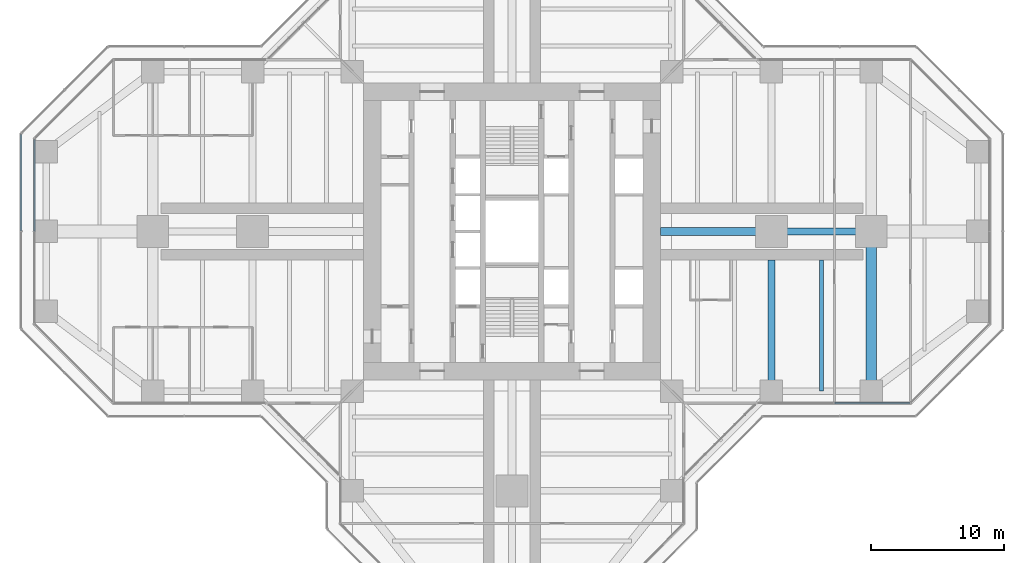
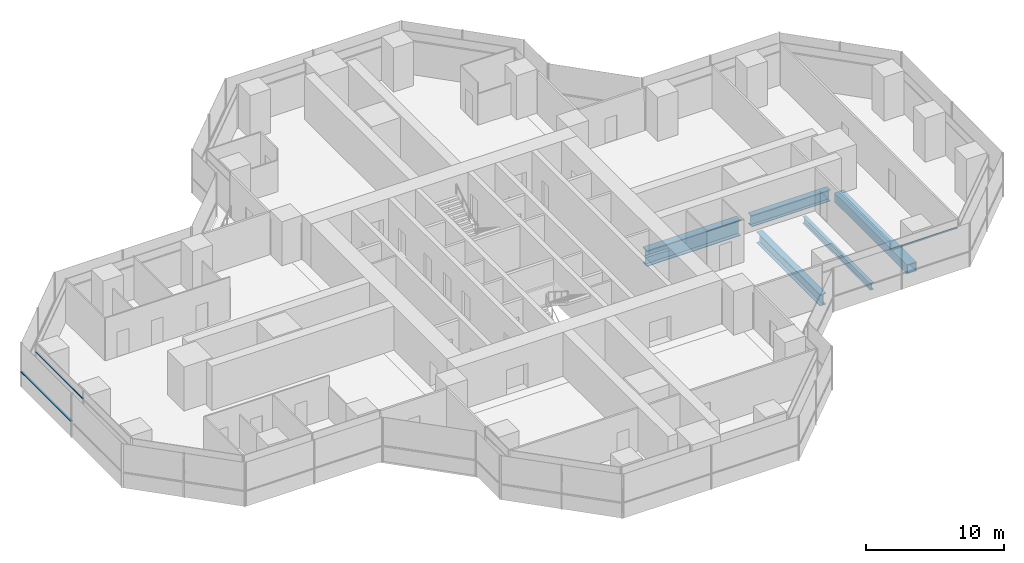
# One storey, part 6 of 20: 5 beams, 3 members, 3 elements without a shape of their own.
"""IFC4 building model written with IfcOpenShell, lengths in metres."""

from ifc_helpers import new_model, si_unit, direction, frame, origin, origin_2d, place, context, subcontext, project, spatial, rectangle, hollow_rectangle, i_section, extrude, material, material_profile, profile_set, type_object, element, aggregate, save


model = new_model("IFC4")

# Units and contexts
model_context = context("Model", 3, precision=1e-05, world=origin(), true_north=direction((0.0, 1.0)))
body_context = subcontext(model_context, "Body", "Model", "MODEL_VIEW")
ifc_project = project(units=[si_unit("LENGTHUNIT", "METRE"), si_unit("AREAUNIT", "SQUARE_METRE"), si_unit("VOLUMEUNIT", "CUBIC_METRE"), si_unit("PLANEANGLEUNIT", "RADIAN"), si_unit("MASSUNIT", "GRAM", prefix="KILO")], contexts=[model_context])

# Site, building, storey
site_placement = place(None, origin())
site = spatial("IfcSite", under=ifc_project, at=site_placement, CompositionType="ELEMENT")
building_placement = place(site_placement, origin())
building = spatial("IfcBuilding", under=site, at=building_placement, Name="Mizan Broadcast Tower", CompositionType="ELEMENT")
storey_placement = place(building_placement, frame((0.0, 0.0, 171.0)))
storey = spatial("IfcBuildingStorey", under=building, at=storey_placement, Name="L39", CompositionType="ELEMENT", Elevation=171.0)

# Beams
ifc_material_1 = material(Name="Steel S460", Category="steel")
ifc_material_profile_1 = material_profile(ifc_material_1, hollow_rectangle(XDim=0.800048828125, YDim=0.800048828125, WallThickness=0.050048828125, at=origin_2d()), Name="BOX 800x800x50")
ifc_profile_set_1 = profile_set([ifc_material_profile_1], Name="Steel S460")
beam_type_1 = type_object("IfcBeamType", Name="GIRDER BOX 800x800x50", PredefinedType="BEAM", material=ifc_profile_set_1)
beam_1_placement = place(storey_placement, frame((27.0, -11.280029296875, -0.530029296875), z_axis=(0.0, 1.0, 0.0), x_axis=(-1.0, 0.0, 0.0)))
element("IfcBeam", 1, at=beam_1_placement, inside=storey, type_object=beam_type_1, Name="Girder BOX 800x800x50 L39 east arm", PredefinedType="BEAM", context=body_context, shape_type="SweptSolid", body=[
    extrude(hollow_rectangle(XDim=0.800048828125, YDim=0.800048828125, WallThickness=0.050048828125, at=origin_2d()), origin(), (0.0, 0.0, 1.0), 10.56005859375),
])
ifc_material_2 = material(Name="Steel S460", Category="steel")
ifc_material_profile_2 = material_profile(ifc_material_2, i_section(OverallWidth=0.5, OverallDepth=1.0, WebThickness=0.02490234375, FlangeThickness=0.050048828125, at=origin_2d()), Name="WPG 1000x500")
ifc_profile_set_2 = profile_set([ifc_material_profile_2], Name="Steel S460")
beam_type_2 = type_object("IfcBeamType", Name="GIRDER WPG 1000x500", PredefinedType="BEAM", material=ifc_profile_set_2)
beam_2_placement = place(storey_placement, frame((19.949951171875, 0.0, -0.6298828125), z_axis=(1.0, 0.0, 0.0), x_axis=(0.0, 1.0, 0.0)))
element("IfcBeam", 2, at=beam_2_placement, inside=storey, type_object=beam_type_2, Name="Girder WPG 1000x500 L39 east arm", PredefinedType="BEAM", context=body_context, shape_type="SweptSolid", body=[
    extrude(i_section(OverallWidth=0.5, OverallDepth=1.0, WebThickness=0.02490234375, FlangeThickness=0.050048828125, at=origin_2d()), origin(), (0.0, 0.0, 1.0), 6.60009765625),
])
beam_3_placement = place(storey_placement, frame((19.5, -11.408935546875, -0.6298828125), z_axis=(0.0, 1.0, 0.0), x_axis=(-1.0, 0.0, 0.0)))
element("IfcBeam", 3, at=beam_3_placement, inside=storey, type_object=beam_type_2, Name="Girder WPG 1000x500 L39 east arm", PredefinedType="BEAM", context=body_context, shape_type="SweptSolid", body=[
    extrude(i_section(OverallWidth=0.5, OverallDepth=1.0, WebThickness=0.02490234375, FlangeThickness=0.050048828125, at=origin_2d()), origin(), (0.0, 0.0, 1.0), 9.259033203125),
])
ifc_material_3 = material(Name="Steel S460", Category="steel")
ifc_material_profile_3 = material_profile(ifc_material_3, i_section(OverallWidth=0.60009765625, OverallDepth=1.39990234375, WebThickness=0.02490234375, FlangeThickness=0.06005859375, at=origin_2d()), Name="WPG 1400x600")
ifc_profile_set_3 = profile_set([ifc_material_profile_3], Name="Steel S460")
beam_type_3 = type_object("IfcBeamType", Name="GIRDER WPG 1400x600", PredefinedType="BEAM", material=ifc_profile_set_3)
beam_4_placement = place(storey_placement, frame((11.14990234375, 0.0, -0.830078125), z_axis=(1.0, 0.0, 0.0), x_axis=(0.0, 1.0, 0.0)))
element("IfcBeam", 4, at=beam_4_placement, inside=storey, type_object=beam_type_3, Name="Girder WPG 1400x600 L39 east arm", PredefinedType="BEAM", context=body_context, shape_type="SweptSolid", body=[
    extrude(i_section(OverallWidth=0.60009765625, OverallDepth=1.39990234375, WebThickness=0.02490234375, FlangeThickness=0.06005859375, at=origin_2d()), origin(), (0.0, 0.0, 1.0), 7.84912109375),
])

# Curtain wall, member
ifc_material_4 = material(Name="Aluminium framed glazing", Category="aluminium")
curtain_wall_type_1 = type_object("IfcCurtainWallType", Name="INNER SKIN MID ZONE", PredefinedType="USERDEFINED", material=ifc_material_4)
curtain_wall_1_placement = place(storey_placement, origin())
curtain_wall_1 = element("IfcCurtainWall", 5, at=curtain_wall_1_placement, inside=storey, type_object=curtain_wall_type_1, Name="Inner skin mid zone L39 E side", ObjectType="INNER SKIN MID ZONE", PredefinedType="USERDEFINED")
ifc_material_5 = material(Name="Aluminium, pale anodised", Category="aluminium")
ifc_material_profile_4 = material_profile(ifc_material_5, rectangle(XDim=0.1201171875, YDim=0.06005859375, at=origin_2d()), Name="TRANSOM 120x60")
ifc_profile_set_4 = profile_set([ifc_material_profile_4], Name="Aluminium, pale anodised")
member_type_1 = type_object("IfcMemberType", Name="INNER SKIN TRANSOM 60x120", PredefinedType="USERDEFINED", material=ifc_profile_set_4)
member_1_placement = place(storey_placement, frame((24.25927734375, -12.89990234375, 3.030029296875), z_axis=(1.0, 0.0, 0.0), x_axis=(0.0, 1.0, 0.0)))
member_1 = element("IfcMember", 6, at=member_1_placement, type_object=member_type_1, Name="Inner skin mid zone L39 E side transom 2.1", ObjectType="TRANSOM", PredefinedType="USERDEFINED", context=body_context, shape_type="SweptSolid", body=[
    extrude(rectangle(XDim=0.1201171875, YDim=0.06005859375, at=origin_2d()), origin(), (0.0, 0.0, 1.0), 5.639404296875),
])
aggregate(curtain_wall_1, [member_1])

curtain_wall_2_placement = place(storey_placement, origin())
curtain_wall_2 = element("IfcCurtainWall", 7, at=curtain_wall_2_placement, inside=storey, type_object=curtain_wall_type_1, Name="Inner skin mid zone L39 W end", ObjectType="INNER SKIN MID ZONE", PredefinedType="USERDEFINED")
member_2_placement = place(storey_placement, frame((-35.89990234375, 6.898681640625, 3.030029296875), z_axis=(0.0, -1.0, 0.0), x_axis=(1.0, 0.0, 0.0)))
member_2 = element("IfcMember", 8, at=member_2_placement, type_object=member_type_1, Name="Inner skin mid zone L39 W end transom 1.1", ObjectType="TRANSOM", PredefinedType="USERDEFINED", context=body_context, shape_type="SweptSolid", body=[
    extrude(rectangle(XDim=0.1201171875, YDim=0.06005859375, at=origin_2d()), origin(), (0.0, 0.0, 1.0), 6.86865234375),
])
aggregate(curtain_wall_2, [member_2])

ifc_material_6 = material(Name="Aluminium framed glazing", Category="aluminium")
curtain_wall_type_2 = type_object("IfcCurtainWallType", Name="OUTER SKIN", PredefinedType="USERDEFINED", material=ifc_material_6)
curtain_wall_3_placement = place(storey_placement, origin())
curtain_wall_3 = element("IfcCurtainWall", 9, at=curtain_wall_3_placement, inside=storey, type_object=curtain_wall_type_2, Name="Outer skin L39 W end", ObjectType="OUTER SKIN", PredefinedType="USERDEFINED")
ifc_material_7 = material(Name="Aluminium, pale anodised", Category="aluminium")
ifc_material_profile_5 = material_profile(ifc_material_7, rectangle(XDim=0.159912109375, YDim=0.06005859375, at=origin_2d()), Name="TRANSOM 160x60")
ifc_profile_set_5 = profile_set([ifc_material_profile_5], Name="Aluminium, pale anodised")
member_type_2 = type_object("IfcMemberType", Name="OUTER SKIN TRANSOM 60x160", PredefinedType="USERDEFINED", material=ifc_profile_set_5)
member_3_placement = place(storey_placement, frame((-36.89990234375, 7.292724609375, 1.39990234375), z_axis=(0.0, -1.0, 0.0), x_axis=(1.0, 0.0, 0.0)))
member_3 = element("IfcMember", 10, at=member_3_placement, type_object=member_type_2, Name="Outer skin L39 W end transom 1.1", ObjectType="TRANSOM", PredefinedType="USERDEFINED", context=body_context, shape_type="SweptSolid", body=[
    extrude(rectangle(XDim=0.159912109375, YDim=0.06005859375, at=origin_2d()), origin(), (0.0, 0.0, 1.0), 7.252685546875),
])
aggregate(curtain_wall_3, [member_3])

# Beam
ifc_material_8 = material(Name="Steel S355", Category="steel")
ifc_material_profile_6 = material_profile(ifc_material_8, i_section(OverallWidth=0.300048828125, OverallDepth=0.590087890625, WebThickness=0.012939453125, FlangeThickness=0.02490234375, FilletRadius=0.027099609375, at=origin_2d()), Name="HEA 600")
ifc_profile_set_6 = profile_set([ifc_material_profile_6], Name="Steel S355")
beam_type_4 = type_object("IfcBeamType", Name="SECONDARY BEAM HEA 600", PredefinedType="JOIST", material=ifc_profile_set_6)
beam_5_placement = place(storey_placement, frame((23.25, -12.0, -0.425048828125), z_axis=(0.0, 1.0, 0.0), x_axis=(-1.0, 0.0, 0.0)))
element("IfcBeam", 11, at=beam_5_placement, inside=storey, type_object=beam_type_4, Name="Secondary beam HEA 600 L39 east arm", PredefinedType="JOIST", context=body_context, shape_type="SweptSolid", body=[
    extrude(i_section(OverallWidth=0.300048828125, OverallDepth=0.590087890625, WebThickness=0.012939453125, FlangeThickness=0.02490234375, FilletRadius=0.027099609375, at=origin_2d()), origin(), (0.0, 0.0, 1.0), 9.85009765625),
])

save(model, "model.ifc")
